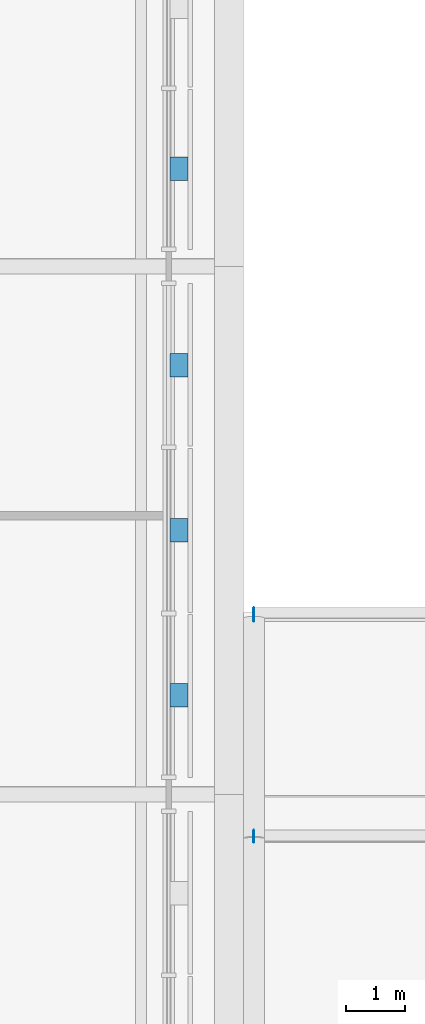
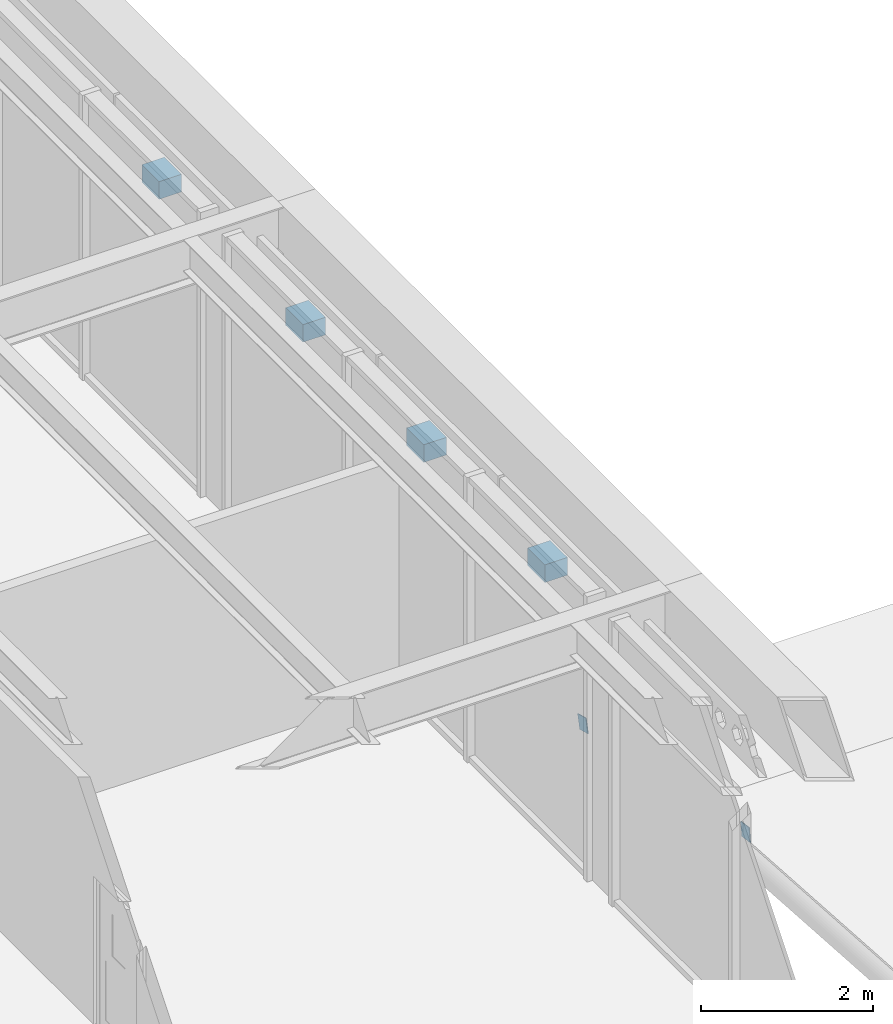
# One storey, part 30 of 43: 6 discrete accessories.
"""IFC4 building model written with IfcOpenShell, lengths in metres."""

from ifc_helpers import new_model, si_unit, direction, frame, origin, origin_2d, place, context, subcontext, project, spatial, rectangle, extrude, material, type_object, element, save


model = new_model("IFC4")

# Units and contexts
model_context = context("Model", 3, precision=1e-05, world=origin(), true_north=direction((0.0, 1.0)))
body_context = subcontext(model_context, "Body", "Model", "MODEL_VIEW")
ifc_project = project(units=[si_unit("LENGTHUNIT", "METRE"), si_unit("AREAUNIT", "SQUARE_METRE"), si_unit("VOLUMEUNIT", "CUBIC_METRE"), si_unit("PLANEANGLEUNIT", "RADIAN"), si_unit("MASSUNIT", "GRAM", prefix="KILO")], contexts=[model_context])

# Site, building, storey
site_placement = place(None, origin())
site = spatial("IfcSite", under=ifc_project, at=site_placement, CompositionType="ELEMENT")
building_placement = place(site_placement, origin())
building = spatial("IfcBuilding", under=site, at=building_placement, Name="Baradari Gate Terminus", CompositionType="ELEMENT")
storey_placement = place(building_placement, frame((0.0, 0.0, 20.10009765625)))
storey = spatial("IfcBuildingStorey", under=building, at=storey_placement, Name="L04", CompositionType="ELEMENT", Elevation=20.10009765625)

# Discrete accessories
ifc_material_1 = material(Name="Steel S355", Category="steel")
discrete_accessory_type_1 = type_object("IfcDiscreteAccessoryType", Name="Hollow section end plate EP-1 200x200x10", PredefinedType="ANCHORPLATE", material=ifc_material_1)
for number, where, z_axis, x_axis, name in (
    (1, (90.417724609375, 62.284912109375, 0.75), (1.0, 0.0, 0.0), (0.0, 0.99130302961, -0.131599025396), "End plate EP-1 at the start of TR/L04/B99-PU07"),
    (2, (90.417724609375, 66.068115234375, -0.006591796875), (1.0, 0.0, 0.0), (0.0, 0.966499648767, -0.256667935149), "End plate EP-1 at the start of TR/L04/B99-PU08"),
):
    element("IfcDiscreteAccessory", number, at=place(storey_placement, frame(where, z_axis=z_axis, x_axis=x_axis)), inside=storey, type_object=discrete_accessory_type_1, Name=name, PredefinedType="ANCHORPLATE", context=body_context, shape_type="SweptSolid", body=[
        extrude(rectangle(XDim=0.199951171875, YDim=0.199951171875, at=origin_2d()), origin(), (0.0, 0.0, 1.0), 0.010009765625),
    ])
ifc_material_2 = material(Name="Stainless steel 316", Category="steel")
discrete_accessory_type_2 = type_object("IfcDiscreteAccessoryType", Name="Jali screen bracket BK-2 stainless steel", PredefinedType="BRACKET", material=ifc_material_2)
for number, where, z_axis, x_axis, name in (
    (3, (89.1474609375, 64.686767578125, 3.454833984375), (0.0, 0.0, 1.0), (1.0, 0.0, 0.0), "Jali screen bracket BK-2 L04/GE4 bay 1"),
    (4, (89.1474609375, 67.5, 3.454833984375), (0.0, 0.0, 1.0), (1.0, 0.0, 0.0), "Jali screen bracket BK-2 L04/GE4 bay 2"),
    (5, (89.1474609375, 70.313232421875, 3.454833984375), (0.0, 0.0, 1.0), (1.0, 0.0, 0.0), "Jali screen bracket BK-2 L04/GE4 bay 3"),
    (6, (89.1474609375, 73.66162109375, 3.454833984375), (0.0, 0.0, 1.0), (1.0, 0.0, 0.0), "Jali screen bracket BK-2 L04/GE5 bay 1"),
):
    element("IfcDiscreteAccessory", number, at=place(storey_placement, frame(where, z_axis=z_axis, x_axis=x_axis)), inside=storey, type_object=discrete_accessory_type_2, Name=name, PredefinedType="BRACKET", context=body_context, shape_type="SweptSolid", body=[
        extrude(rectangle(XDim=0.304931640625, YDim=0.39990234375, at=origin_2d()), origin(), (0.0, 0.0, 1.0), 0.25),
    ])

save(model, "model.ifc")
